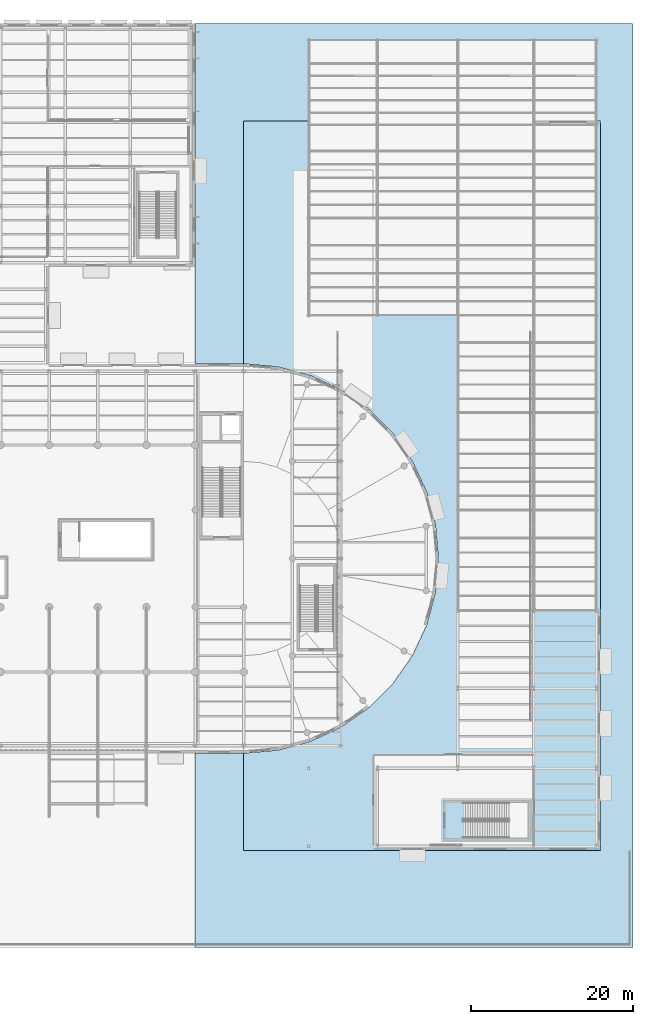
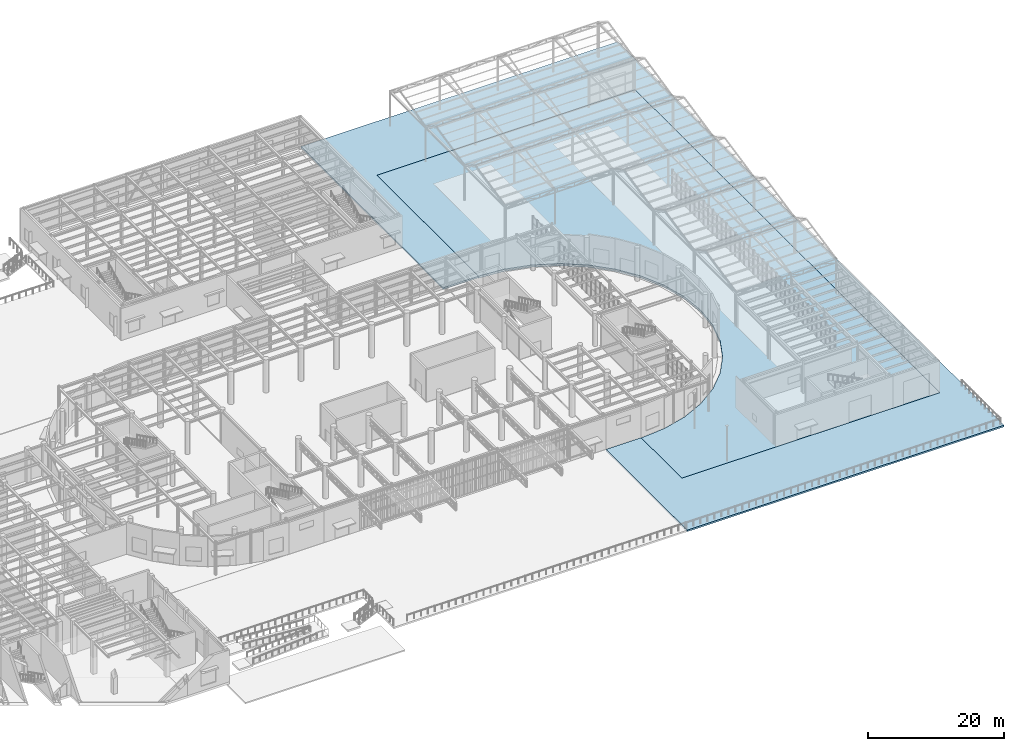
# One storey, part 80 of 118: 2 slabs.
"""IFC4 building model written with IfcOpenShell, lengths in metres."""

from ifc_helpers import new_model, si_unit, direction, frame, origin, place, context, subcontext, project, spatial, polyline, outline, extrude, material, layer, layer_set, type_object, element, save


model = new_model("IFC4")

# Units and contexts
model_context = context("Model", 3, precision=1e-05, world=origin(), true_north=direction((0.0, 1.0)))
body_context = subcontext(model_context, "Body", "Model", "MODEL_VIEW")
ifc_project = project(units=[si_unit("LENGTHUNIT", "METRE"), si_unit("AREAUNIT", "SQUARE_METRE"), si_unit("VOLUMEUNIT", "CUBIC_METRE"), si_unit("PLANEANGLEUNIT", "RADIAN"), si_unit("MASSUNIT", "GRAM", prefix="KILO")], contexts=[model_context])

# Site, building, storey
site_placement = place(None, origin())
site = spatial("IfcSite", under=ifc_project, at=site_placement, CompositionType="ELEMENT")
building_placement = place(site_placement, origin())
building = spatial("IfcBuilding", under=site, at=building_placement, Name="Kolvaren Corner Interchange", CompositionType="ELEMENT")
storey_placement = place(building_placement, origin())
storey = spatial("IfcBuildingStorey", under=building, at=storey_placement, Name="L01", CompositionType="ELEMENT", Elevation=0.0)

# Slabs
ifc_material_1 = material(Name="Basalt Paving Concrete C35/45", Category="masonry")
ifc_layer_1 = layer(ifc_material_1, 0.2900390625)
ifc_layer_set_1 = layer_set([ifc_layer_1], Name="Basalt Paving Concrete C35/45")
slab_type_1 = type_object("IfcSlabType", Name="SL-PAV-290", PredefinedType="USERDEFINED", material=ifc_layer_set_1)
slab_1_placement = place(storey_placement, frame((0.0, 0.0, -0.2900390625)))
element("IfcSlab", 1, at=slab_1_placement, inside=storey, type_object=slab_type_1, Name="Level 01 East Intermodal Bus Apron Paving Slab", ObjectType="PAVING", PredefinedType="USERDEFINED", context=body_context, shape_type="SweptSolid", body=[
    extrude(outline(polyline([(119.9599609375, 24.0), (114.0400390625, 24.0), (114.000732421875, 23.9677734375), (114.0, 0.0400390625), (114.02099609375, 0.004638671875), (167.9599609375, 0.0), (167.995361328125, 0.02099609375), (168.0, 113.9599609375), (167.97900390625, 113.995361328125), (114.0400390625, 114.0), (114.004638671875, 113.97900390625), (114.0, 72.0400390625), (114.0322265625, 72.000732421875), (119.9599609375, 72.0), (119.999267578125, 72.0322265625), (120.0, 102.0), (164.0, 102.0), (164.0, 12.0), (120.0, 12.0), (120.0, 23.9599609375), (119.9599609375, 24.0)])), origin(), (0.0, 0.0, 1.0), 0.2900390625),
])
ifc_material_2 = material(Name="Concrete C40/50", Category="concrete")
ifc_layer_2 = layer(ifc_material_2, 0.39990234375)
ifc_layer_set_2 = layer_set([ifc_layer_2], Name="Concrete C40/50")
slab_type_2 = type_object("IfcSlabType", Name="SL-TRANSFER-400", PredefinedType="FLOOR", material=ifc_layer_set_2)
slab_2_placement = place(storey_placement, frame((0.0, 0.0, -0.39990234375)))
element("IfcSlab", 2, at=slab_2_placement, inside=storey, type_object=slab_type_2, Name="Level 01 Covered Bus Loop Deck Slab", PredefinedType="FLOOR", context=body_context, shape_type="SweptSolid", body=[
    extrude(outline(polyline([(143.655029296875, 43.8291015625), (142.5712890625, 39.78466796875), (140.802001953125, 35.989990234375), (138.400390625, 32.560302734375), (135.439697265625, 29.599609375), (132.010009765625, 27.197998046875), (128.21533203125, 25.4287109375), (124.1708984375, 24.344970703125), (120.0, 23.97998046875), (120.0, 12.0), (164.0, 12.0), (164.0, 102.0), (120.0, 102.0), (120.0, 72.02001953125), (124.1708984375, 71.655029296875), (128.21533203125, 70.5712890625), (132.010009765625, 68.802001953125), (135.439697265625, 66.400390625), (138.400390625, 63.439697265625), (140.802001953125, 60.010009765625), (142.5712890625, 56.21533203125), (143.655029296875, 52.1708984375), (144.02001953125, 48.0), (143.655029296875, 43.8291015625)])), origin(), (0.0, 0.0, 1.0), 0.39990234375),
])

save(model, "model.ifc")
